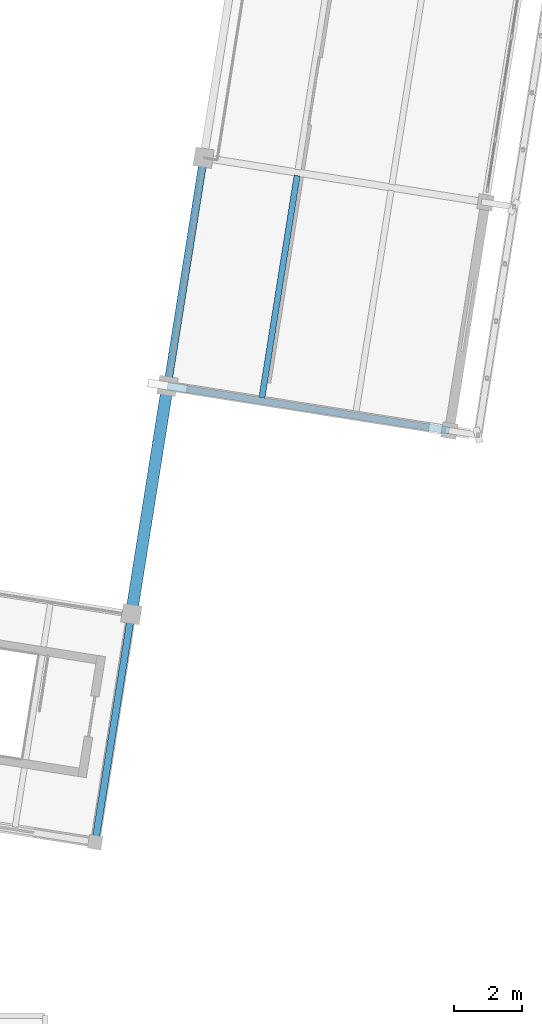
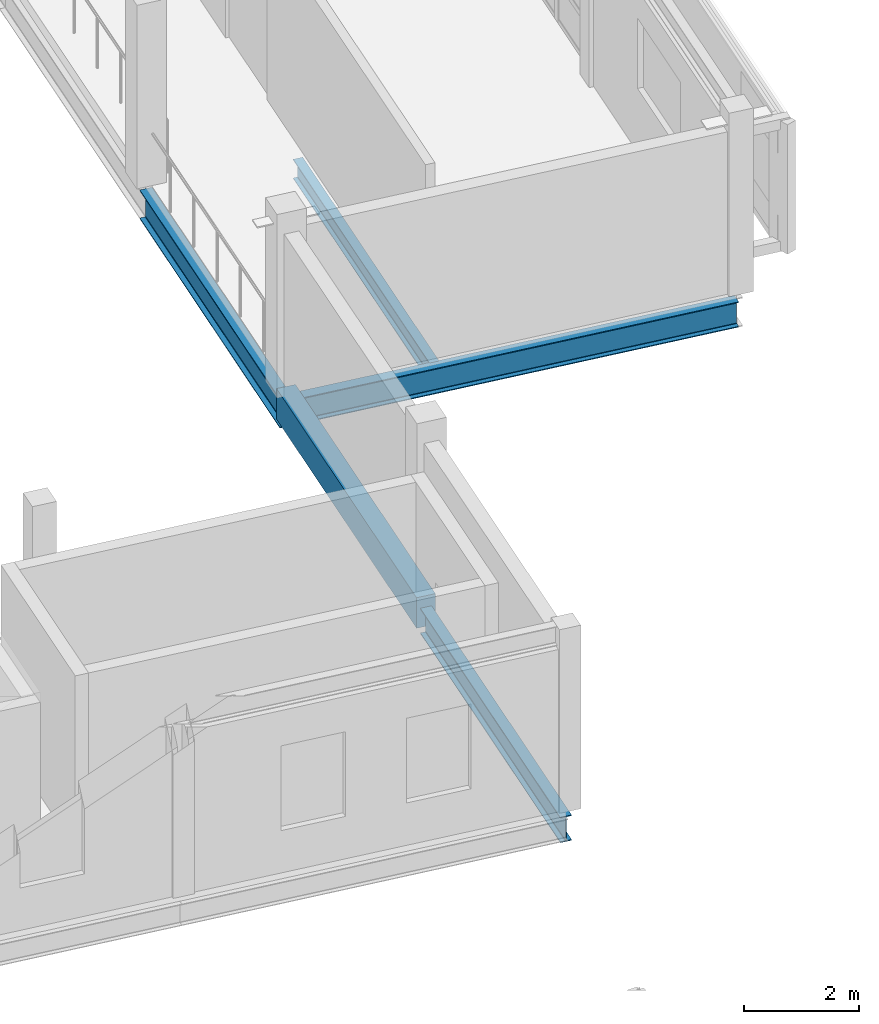
# One storey, part 74 of 117: 5 beams.
"""IFC4 building model written with IfcOpenShell, lengths in metres."""

import ifcopenshell
import ifcopenshell.guid

model = None  # the IFC model being written
_history = None  # IfcOwnerHistory: only IFC2X3 demands one
_inside = {}  # id of a spatial element -> (the spatial element, [elements in it])
_under = {}  # id of a project, library or spatial element -> (it, [spatial elements below it])
_declared = {}  # id of a project -> (the project, [libraries it declares])
_typed = {}  # id of a type object -> (the type object, [elements of that type])
_made_of = {}  # id of a material, layer set ... -> (it, [elements and type objects made of it])


def new_model(schema):
    """Start an empty IFC model of exactly this schema.

    Asked for "IFC4X3", IfcOpenShell would pick the latest addendum, in which some entities
    have other attributes; the version numbers below select the first issue.
    IFC2X3 requires an IfcOwnerHistory on every rooted entity: one is made here for all.
    """
    global model, _history
    if schema == "IFC4X3":
        model = ifcopenshell.file(schema_version=(4, 3, 0, 0))
    else:
        model = ifcopenshell.file(schema=schema)
    _inside.clear()
    _under.clear()
    _declared.clear()
    _typed.clear()
    _made_of.clear()
    _history = None
    if model.schema == "IFC2X3":
        org = make("IfcOrganization", Name="unknown")
        user = make(
            "IfcPersonAndOrganization",
            ThePerson=make("IfcPerson", FamilyName="unknown"),
            TheOrganization=org,
        )
        app = make(
            "IfcApplication",
            ApplicationDeveloper=org,
            Version="unknown",
            ApplicationFullName="unknown",
            ApplicationIdentifier="unknown",
        )
        _history = make(
            "IfcOwnerHistory",
            OwningUser=user,
            OwningApplication=app,
            ChangeAction="ADDED",
            CreationDate=0,
        )
    return model


def make(cls, **values):
    """One entity of the class cls with the attributes given. An attribute that is None is left unset."""
    return model.create_entity(
        cls, **{name: value for name, value in values.items() if value is not None}
    )


def rooted(cls, **values):
    """An entity with a GlobalId (a new one), such as an element, a storey or a relation."""
    return make(cls, GlobalId=ifcopenshell.guid.new(), OwnerHistory=_history, **values)


def si_unit(unit_type, name, prefix=None):
    """IfcSIUnit, for example si_unit("LENGTHUNIT", "METRE", prefix="MILLI")."""
    return make("IfcSIUnit", UnitType=unit_type, Prefix=prefix, Name=name)


def assignment(units):
    """IfcUnitAssignment: the units of a project."""
    return None if units is None else make("IfcUnitAssignment", Units=units)


def point(xyz):
    """IfcCartesianPoint."""
    return None if xyz is None else make("IfcCartesianPoint", Coordinates=xyz)


def direction(xyz):
    """IfcDirection."""
    return None if xyz is None else make("IfcDirection", DirectionRatios=xyz)


def frame(location, z_axis=None, x_axis=None):
    """IfcAxis2Placement3D, a coordinate frame: its origin and axes. An axis left out is left unset."""
    return make(
        "IfcAxis2Placement3D",
        Location=point(location),
        Axis=direction(z_axis),
        RefDirection=direction(x_axis),
    )


def frame_2d(location, x_axis=None):
    """IfcAxis2Placement2D, a coordinate frame in the plane: its origin and x axis."""
    return make(
        "IfcAxis2Placement2D", Location=point(location), RefDirection=direction(x_axis)
    )


def origin():
    """The frame at (0, 0, 0) with its axes left unset."""
    return frame((0.0, 0.0, 0.0))


def origin_2d():
    """The frame at (0, 0) in the plane with its x axis left unset."""
    return frame_2d((0.0, 0.0))


def place(relative_to, where):
    """IfcLocalPlacement: puts the frame where relative to a parent placement (None: the world)."""
    return make(
        "IfcLocalPlacement", PlacementRelTo=relative_to, RelativePlacement=where
    )


def context(
    kind, dimensions, precision=None, world=None, true_north=None, identifier=None
):
    """IfcGeometricRepresentationContext, for example the 3D "Model" context."""
    return make(
        "IfcGeometricRepresentationContext",
        ContextIdentifier=identifier,
        ContextType=kind,
        CoordinateSpaceDimension=dimensions,
        Precision=precision,
        WorldCoordinateSystem=world,
        TrueNorth=true_north,
    )


def subcontext(parent, identifier, kind, view, scale=None):
    """IfcGeometricRepresentationSubContext, for example "Body" below "Model"."""
    return make(
        "IfcGeometricRepresentationSubContext",
        ContextIdentifier=identifier,
        ContextType=kind,
        ParentContext=parent,
        TargetScale=scale,
        TargetView=view,
    )


def project(units=None, contexts=None):
    """IfcProject with its units and contexts."""
    return rooted(
        "IfcProject",
        Name="project",
        RepresentationContexts=contexts,
        UnitsInContext=assignment(units),
    )


def spatial(cls, under=None, at=None, **own):
    """A site, building, storey or space (cls), placed at a placement, below another one or the project."""
    s = rooted(cls, ObjectPlacement=at, **own)
    if under is not None:
        _under.setdefault(under.id(), (under, []))[1].append(s)
    return s


def profile(cls, at=None, kind="AREA", **sizes):
    """A parametric profile (cls). Its sizes go by their IFC names, for example OverallWidth=200.0."""
    return make(cls, ProfileType=kind, Position=at, **sizes)


def rectangle(**sizes):
    """IfcRectangleProfileDef."""
    return profile("IfcRectangleProfileDef", **sizes)


def i_section(**sizes):
    """IfcIShapeProfileDef."""
    return profile("IfcIShapeProfileDef", **sizes)


def extrude(swept, where, along, depth):
    """IfcExtrudedAreaSolid: the profile swept, set in the frame where, extruded along a direction by depth."""
    return make(
        "IfcExtrudedAreaSolid",
        SweptArea=swept,
        Position=where,
        ExtrudedDirection=direction(along),
        Depth=depth,
    )


def shape(context_of_items, identifier, shape_type, items):
    """IfcShapeRepresentation: the items that make up one representation, for example the "Body"."""
    return make(
        "IfcShapeRepresentation",
        ContextOfItems=context_of_items,
        RepresentationIdentifier=identifier,
        RepresentationType=shape_type,
        Items=items,
    )


def material(Name=None, Category=None):
    """IfcMaterial."""
    return make("IfcMaterial", Name=Name, Category=Category)


def material_profile(
    of_material, cross_section, Name=None, Category=None, Priority=None
):
    """IfcMaterialProfile: a cross section and its material."""
    return make(
        "IfcMaterialProfile",
        Name=Name,
        Material=of_material,
        Profile=cross_section,
        Priority=Priority,
        Category=Category,
    )


def profile_set(profiles, Name=None, composite=None):
    """IfcMaterialProfileSet."""
    return make(
        "IfcMaterialProfileSet",
        Name=Name,
        MaterialProfiles=profiles,
        CompositeProfile=composite,
    )


def made_of(thing, what):
    """Note that an element or type object is made of a material, layer set ...; save() writes the relation."""
    if what is not None:
        _made_of.setdefault(what.id(), (what, []))[1].append(thing)
    return thing


def type_object(cls, material=None, **own):
    """A type object (cls), such as IfcWallType, which elements share."""
    return made_of(rooted(cls, **own), material)


def element(
    cls,
    number,
    at=None,
    inside=None,
    cuts=None,
    type_object=None,
    material=None,
    context=None,
    identifier="Body",
    shape_type=None,
    held_by="IfcProductDefinitionShape",
    body=None,
    shapes=None,
    **own,
):
    """One element of the class cls, such as IfcWall. Its Tag is "e" and its number.

    at: its placement. inside: the storey or other place that contains it. cuts: it is an
    opening in that element (IfcRelVoidsElement). A single representation is given by context,
    identifier, shape_type and body (its items); several are given by shapes. held_by: the class
    of the entity that holds the representations. save() writes the other relations.
    """
    e = rooted(cls, Tag="e%d" % number, ObjectPlacement=at, **own)
    if body is not None:
        shapes = [shape(context, identifier, shape_type, body)]
    if shapes is not None:
        e.Representation = make(held_by, Representations=shapes)
    if inside is not None:
        _inside.setdefault(inside.id(), (inside, []))[1].append(e)
    if cuts is not None:
        rooted(
            "IfcRelVoidsElement", RelatingBuildingElement=cuts, RelatedOpeningElement=e
        )
    if type_object is not None:
        _typed.setdefault(type_object.id(), (type_object, []))[1].append(e)
    return made_of(e, material)


def aggregate(whole, parts):
    """IfcRelAggregates: a whole, such as a stair, and the parts it consists of."""
    return rooted("IfcRelAggregates", RelatingObject=whole, RelatedObjects=parts)


def save(model, path):
    """Write the relations noted so far, then the file.

    IfcRelAggregates (storeys below a building ...), IfcRelContainedInSpatialStructure (elements
    in a storey), IfcRelDefinesByType, IfcRelAssociatesMaterial and IfcRelDeclares: one each for
    every whole, place, type object, material and project.
    """
    for whole, parts in _under.values():
        aggregate(whole, parts)
    for where, things in _inside.values():
        rooted(
            "IfcRelContainedInSpatialStructure",
            RelatedElements=things,
            RelatingStructure=where,
        )
    for kind, things in _typed.values():
        rooted("IfcRelDefinesByType", RelatedObjects=things, RelatingType=kind)
    for what, things in _made_of.values():
        rooted("IfcRelAssociatesMaterial", RelatedObjects=things, RelatingMaterial=what)
    for by, libraries in _declared.values():
        rooted("IfcRelDeclares", RelatingContext=by, RelatedDefinitions=libraries)
    model.write(path)


model = new_model("IFC4")

# Units and contexts
model_context = context("Model", 3, precision=1e-05, world=origin(), true_north=direction((0.0, 1.0)))
body_context = subcontext(model_context, "Body", "Model", "MODEL_VIEW")
ifc_project = project(units=[si_unit("LENGTHUNIT", "METRE"), si_unit("AREAUNIT", "SQUARE_METRE"), si_unit("VOLUMEUNIT", "CUBIC_METRE"), si_unit("PLANEANGLEUNIT", "RADIAN"), si_unit("MASSUNIT", "GRAM", prefix="KILO")], contexts=[model_context])

# Site, building, storey
site_placement = place(None, origin())
site = spatial("IfcSite", under=ifc_project, at=site_placement, CompositionType="ELEMENT")
building_placement = place(site_placement, origin())
building = spatial("IfcBuilding", under=site, at=building_placement, Name="Cinderway Yard Community Centre", CompositionType="ELEMENT")
storey_placement = place(building_placement, frame((0.0, 0.0, 9.0)))
storey = spatial("IfcBuildingStorey", under=building, at=storey_placement, Name="L02", CompositionType="ELEMENT", Elevation=9.0)

# Beams
ifc_material_1 = material(Name="Concrete C35/45", Category="concrete")
ifc_material_profile_1 = material_profile(ifc_material_1, rectangle(XDim=0.35009765625, YDim=0.64990234375, at=origin_2d()), Name="Concrete C35/45")
ifc_profile_set_1 = profile_set([ifc_material_profile_1], Name="Concrete C35/45")
beam_type_1 = type_object("IfcBeamType", Name="STR-BM-RC350X650", PredefinedType="BEAM", material=ifc_profile_set_1)
beam_1_placement = place(storey_placement, frame((139.333984375, 34.62109375, -0.324951171875), z_axis=(0.156475124325, 0.987681899939, 0.0), x_axis=(-0.987681899939, 0.156475124325, 0.0)))
element("IfcBeam", 1, at=beam_1_placement, inside=storey, type_object=beam_type_1, Name="Sports return girder STR-BM-L02-BG08-0433", PredefinedType="BEAM", context=body_context, shape_type="SweptSolid", body=[
    extrude(rectangle(XDim=0.35009765625, YDim=0.64990234375, at=origin_2d()), origin(), (0.0, 0.0, 1.0), 6.799560546875),
])
ifc_material_2 = material(Name="Steel S355", Category="steel")
ifc_material_profile_2 = material_profile(ifc_material_2, i_section(OverallWidth=0.178955078125, OverallDepth=0.409912109375, WebThickness=0.0087890625, FlangeThickness=0.013427734375, FilletRadius=0.011962890625, at=origin_2d()), Name="Steel S355")
ifc_profile_set_2 = profile_set([ifc_material_profile_2], Name="Steel S355")
beam_type_2 = type_object("IfcBeamType", Name="STR-BM-W410X67", PredefinedType="JOIST", material=ifc_profile_set_2)
beam_2_placement = place(storey_placement, frame((143.177001953125, 40.986083984375, -0.445068359375), z_axis=(0.156373237585, 0.987698036126, 0.0), x_axis=(-0.987698036126, 0.156373237585, 0.0)))
element("IfcBeam", 2, at=beam_2_placement, inside=storey, type_object=beam_type_2, Name="Secondary joist STR-BM-L02-SJ02-0418", PredefinedType="JOIST", context=body_context, shape_type="SweptSolid", body=[
    extrude(i_section(OverallWidth=0.178955078125, OverallDepth=0.409912109375, WebThickness=0.0087890625, FlangeThickness=0.013427734375, FilletRadius=0.011962890625, at=origin_2d()), origin(), (0.0, 0.0, 1.0), 6.62451171875),
])
ifc_material_profile_3 = material_profile(ifc_material_2, i_section(OverallWidth=0.2109375, OverallDepth=0.5390625, WebThickness=0.010986328125, FlangeThickness=0.017333984375, FilletRadius=0.013916015625, at=origin_2d()), Name="Steel S355")
ifc_profile_set_3 = profile_set([ifc_material_profile_3], Name="Steel S355")
beam_type_3 = type_object("IfcBeamType", Name="STR-BM-W530X109", PredefinedType="BEAM", material=ifc_profile_set_3)
beam_3_placement = place(storey_placement, frame((138.27001953125, 27.905029296875, -0.510009765625), z_axis=(0.156469575446, 0.987682779013, 0.0), x_axis=(-0.987682779013, 0.156469575446, 0.0)))
element("IfcBeam", 3, at=beam_3_placement, inside=storey, type_object=beam_type_3, Name="Transverse girder STR-BM-L02-SB06-0402", PredefinedType="BEAM", context=body_context, shape_type="SweptSolid", body=[
    extrude(i_section(OverallWidth=0.2109375, OverallDepth=0.5390625, WebThickness=0.010986328125, FlangeThickness=0.017333984375, FilletRadius=0.013916015625, at=origin_2d()), origin(), (0.0, 0.0, 1.0), 6.7998046875),
])
beam_4_placement = place(storey_placement, frame((140.39794921875, 41.3369140625, -0.510009765625), z_axis=(0.987688617534, -0.156432716505, 0.0), x_axis=(0.156432716505, 0.987688617534, 0.0)))
element("IfcBeam", 4, at=beam_4_placement, inside=storey, type_object=beam_type_3, Name="Primary girder STR-BM-L02-SB06-0406", PredefinedType="BEAM", context=body_context, shape_type="SweptSolid", body=[
    extrude(i_section(OverallWidth=0.2109375, OverallDepth=0.5390625, WebThickness=0.010986328125, FlangeThickness=0.017333984375, FilletRadius=0.013916015625, at=origin_2d()), origin(), (0.0, 0.0, 1.0), 8.399658203125),
])
ifc_material_profile_4 = material_profile(ifc_material_2, i_section(OverallWidth=0.22998046875, OverallDepth=0.616943359375, WebThickness=0.011962890625, FlangeThickness=0.01953125, FilletRadius=0.01611328125, at=origin_2d()), Name="Steel S355")
ifc_profile_set_4 = profile_set([ifc_material_profile_4], Name="Steel S355")
beam_type_4 = type_object("IfcBeamType", Name="STR-BM-W610X140", PredefinedType="BEAM", material=ifc_profile_set_4)
beam_5_placement = place(storey_placement, frame((140.39794921875, 41.3369140625, -0.549072265625), z_axis=(0.156447383815, 0.987686294376, 0.0), x_axis=(-0.987686294376, 0.156447383815, 0.0)))
element("IfcBeam", 5, at=beam_5_placement, inside=storey, type_object=beam_type_4, Name="Transverse girder STR-BM-L02-SB05-0410", PredefinedType="BEAM", context=body_context, shape_type="SweptSolid", body=[
    extrude(i_section(OverallWidth=0.22998046875, OverallDepth=0.616943359375, WebThickness=0.011962890625, FlangeThickness=0.01953125, FilletRadius=0.01611328125, at=origin_2d()), origin(), (0.0, 0.0, 1.0), 6.80078125),
])

save(model, "model.ifc")
